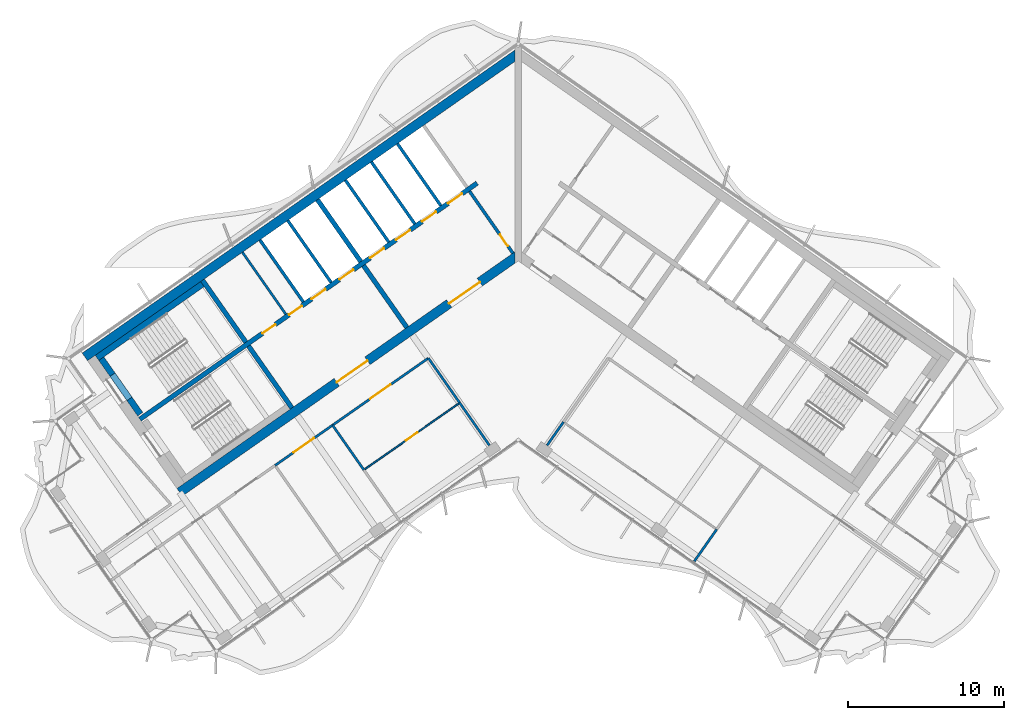
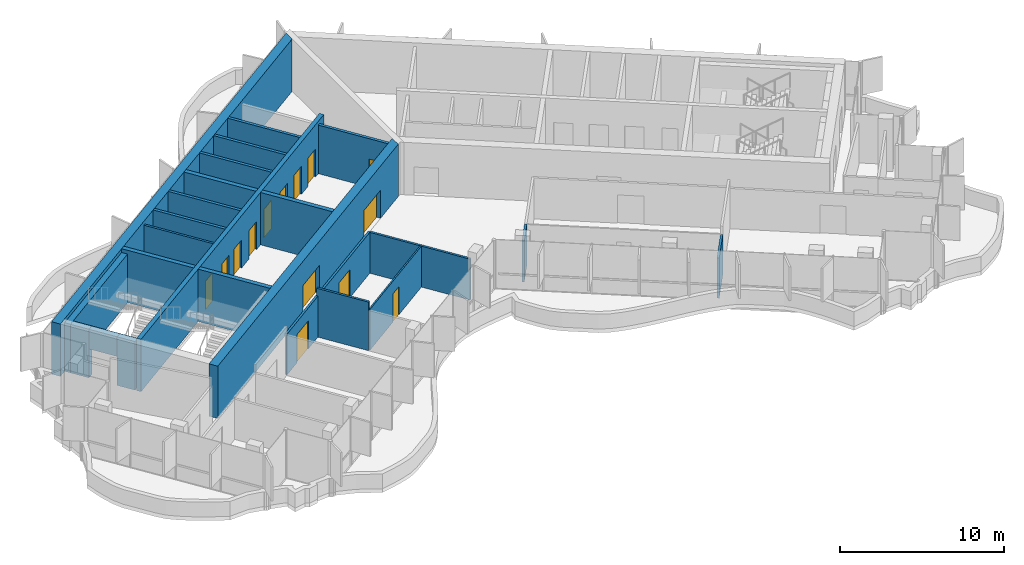
# One storey, part 9 of 18: 26 walls, 14 doors, 14 openings.
"""IFC4 building model written with IfcOpenShell, lengths in metres."""

from ifc_helpers import new_model, si_unit, direction, frame, frame_2d, origin, place, context, subcontext, project, spatial, polyline, rectangle, outline, extrude, material, layer, layer_set, type_object, element, fill, save


model = new_model("IFC4")

# Units and contexts
model_context = context("Model", 3, precision=1e-05, world=origin(), true_north=direction((0.0, 1.0)))
body_context = subcontext(model_context, "Body", "Model", "MODEL_VIEW")
ifc_project = project(units=[si_unit("LENGTHUNIT", "METRE"), si_unit("AREAUNIT", "SQUARE_METRE"), si_unit("VOLUMEUNIT", "CUBIC_METRE"), si_unit("PLANEANGLEUNIT", "RADIAN"), si_unit("MASSUNIT", "GRAM", prefix="KILO")], contexts=[model_context])

# Site, building, storey
site_placement = place(None, origin())
site = spatial("IfcSite", under=ifc_project, at=site_placement, CompositionType="ELEMENT")
building_placement = place(site_placement, origin())
building = spatial("IfcBuilding", under=site, at=building_placement, Name="Tel Ilan Convention Tower", CompositionType="ELEMENT")
storey_placement = place(building_placement, frame((0.0, 0.0, 303.39990234375)))
storey = spatial("IfcBuildingStorey", under=building, at=storey_placement, Name="L72", CompositionType="ELEMENT", Elevation=303.39990234375)

# Wall
ifc_material_1 = material(Name="Gypsum Plasterboard on Steel Stud", Category="steel")
ifc_layer_1 = layer(ifc_material_1, 0.14990234375)
ifc_layer_set_1 = layer_set([ifc_layer_1], Name="Core Room Partition Wall 150 mm EI 60")
wall_type_1 = type_object("IfcWallType", Name="Core Room Partition Wall 150 mm EI 60", PredefinedType="PARTITIONING", material=ifc_layer_set_1)
wall_1_placement = place(storey_placement, frame((-14.909423828125, -4.64111328125, 0.0), z_axis=(0.0, 0.0, 1.0), x_axis=(-0.573560315113, 0.819163332265, 0.0)))
element("IfcWall", 1, at=wall_1_placement, inside=storey, type_object=wall_type_1, Name="L72 core wall bank-W2-split", PredefinedType="PARTITIONING", context=body_context, shape_type="SweptSolid", body=[
    extrude(rectangle(XDim=4.849853515625, YDim=0.14990234375, at=frame_2d((2.4248046875, 0.0))), origin(), (0.0, 0.0, 1.0), 3.6201171875),
])

# Wall, opening, door
ifc_material_2 = material(Name="Concrete C30/37", Category="concrete")
ifc_layer_2 = layer(ifc_material_2, 0.199951171875)
ifc_layer_set_2 = layer_set([ifc_layer_2], Name="Core Service Room Wall 200 mm C30/37")
wall_type_2 = type_object("IfcWallType", Name="Core Service Room Wall 200 mm C30/37", PredefinedType="SOLIDWALL", material=ifc_layer_set_2)
wall_2_placement = place(storey_placement, frame((-0.343994140625, -0.729248046875, 0.0), z_axis=(0.0, 0.0, 1.0), x_axis=(-0.573560315113, 0.819163332265, 0.0)))
wall_2 = element("IfcWall", 2, at=wall_2_placement, inside=storey, type_object=wall_type_2, Name="L72 core wall apex-W", PredefinedType="SOLIDWALL", context=body_context, shape_type="SweptSolid", body=[
    extrude(rectangle(XDim=4.849853515625, YDim=0.199951171875, at=frame_2d((2.4248046875, 0.0))), origin(), (0.0, 0.0, 1.0), 3.6201171875),
])
opening_1_placement = place(wall_2_placement, frame((0.550048828125, 0.0, 0.0)))
opening_1 = element("IfcOpeningElement", 3, at=opening_1_placement, cuts=wall_2, Name="Opening CD5402", PredefinedType="OPENING", context=body_context, shape_type="SweptSolid", body=[
    extrude(rectangle(XDim=0.89990234375, YDim=2.10009765625, at=frame_2d((0.449951171875, 1.050048828125))), frame((0.0, 0.10986328125, 0.0), z_axis=(0.0, -1.0, 0.0), x_axis=(1.0, 0.0, 0.0)), (0.0, 0.0, 1.0), 0.219970703125),
])
ifc_material_3 = material(Name="Galvanised Steel Door Leaf", Category="steel")
door_type_1 = type_object("IfcDoorType", Name="Service Room Door 900 x 2100 FD60", OperationType="NOTDEFINED", PredefinedType="DOOR", material=ifc_material_3)
door_1_placement = place(opening_1_placement, origin())
door_1 = element("IfcDoor", 4, at=door_1_placement, inside=storey, type_object=door_type_1, Name="Telecom Room door", OperationType="SINGLE_SWING_RIGHT", OverallHeight=2.10009765625, OverallWidth=0.89990234375, PredefinedType="DOOR", context=body_context, shape_type="SweptSolid", body=[
    extrude(rectangle(XDim=0.89990234375, YDim=2.10009765625, at=frame_2d((0.449951171875, 1.050048828125))), frame((0.0, 0.02490234375, 0.0), z_axis=(0.0, -1.0, 0.0), x_axis=(1.0, 0.0, 0.0)), (0.0, 0.0, 1.0), 0.050048828125),
])
fill(opening_1, door_1)

# Walls
ifc_material_4 = material(Name="Concrete C40/50", Category="concrete")
ifc_layer_3 = layer(ifc_material_4, 0.300048828125)
ifc_layer_set_3 = layer_set([ifc_layer_3], Name="Core Shear Wall 300 mm C40/50")
wall_type_3 = type_object("IfcWallType", Name="Core Shear Wall 300 mm C40/50", PredefinedType="SHEAR", material=ifc_layer_set_3)
wall_3_placement = place(storey_placement, frame((-7.142822265625, -5.48974609375, 0.0), z_axis=(0.0, 0.0, 1.0), x_axis=(-0.573617744349, 0.819123118565, 0.0)))
element("IfcWall", 5, at=wall_3_placement, inside=storey, type_object=wall_type_3, Name="L72 core wall W-cross1-1", PredefinedType="SHEAR", context=body_context, shape_type="SweptSolid", body=[
    extrude(outline(polyline([(4.85009765625, 0.14990234375), (0.0, 0.150146484375), (0.0, -0.14990234375), (4.85009765625, -0.150146484375), (4.85009765625, 0.14990234375)])), origin(), (0.0, 0.0, 1.0), 3.900146484375),
])
wall_4_placement = place(storey_placement, frame((-10.096923828125, -1.271240234375, 0.0), z_axis=(0.0, 0.0, 1.0), x_axis=(-0.573560315113, 0.819163332265, 0.0)))
element("IfcWall", 6, at=wall_4_placement, inside=storey, type_object=wall_type_3, Name="L72 core wall W-cross1-2", PredefinedType="SHEAR", context=body_context, shape_type="SweptSolid", body=[
    extrude(outline(polyline([(4.849853515625, -0.14990234375), (4.849853515625, 0.150146484375), (0.0, 0.14990234375), (0.0, -0.150146484375), (4.849853515625, -0.14990234375)])), origin(), (0.0, 0.0, 1.0), 3.900146484375),
])
wall_5_placement = place(storey_placement, frame((-14.515380859375, -10.652099609375, 0.0), z_axis=(0.0, 0.0, 1.0), x_axis=(-0.573560315113, 0.819163332265, 0.0)))
element("IfcWall", 7, at=wall_5_placement, inside=storey, type_object=wall_type_3, Name="L72 core wall W-cross2-1", PredefinedType="SHEAR", context=body_context, shape_type="SweptSolid", body=[
    extrude(outline(polyline([(4.85009765625, 0.14990234375), (0.0, 0.14990234375), (0.0, -0.150146484375), (4.85009765625, -0.14990234375), (4.85009765625, 0.14990234375)])), origin(), (0.0, 0.0, 1.0), 3.900146484375),
])
wall_6_placement = place(storey_placement, frame((-17.46923828125, -6.433349609375, 0.0), z_axis=(0.0, 0.0, 1.0), x_axis=(-0.573594092424, 0.81913968109, 0.0)))
element("IfcWall", 8, at=wall_6_placement, inside=storey, type_object=wall_type_3, Name="L72 core wall W-cross2-2", PredefinedType="SHEAR", context=body_context, shape_type="SweptSolid", body=[
    extrude(outline(polyline([(4.849853515625, -0.150146484375), (4.849853515625, 0.14990234375), (0.0, 0.14990234375), (0.0, -0.14990234375), (4.849853515625, -0.150146484375)])), origin(), (0.0, 0.0, 1.0), 3.900146484375),
])

# Wall, openings, doors
wall_7_placement = place(storey_placement, frame((-2.638427734375, 3.76806640625, 0.0), z_axis=(0.0, 0.0, 1.0), x_axis=(-0.819155014212, -0.573572194837, 0.0)))
wall_7 = element("IfcWall", 9, at=wall_7_placement, inside=storey, type_object=wall_type_3, Name="L72 core wall W-spine", PredefinedType="SHEAR", context=body_context, shape_type="SweptSolid", body=[
    extrude(outline(polyline([(26.39990234375, 0.150146484375), (0.0, 0.14990234375), (0.0, -0.150146484375), (26.39990234375, -0.14990234375), (26.39990234375, 0.150146484375)])), origin(), (0.0, 0.0, 1.0), 3.900146484375),
])
opening_2_placement = place(wall_7_placement, frame((1.168701171875, 0.0, 0.0)))
opening_2 = element("IfcOpeningElement", 10, at=opening_2_placement, cuts=wall_7, Name="Opening LD5404", PredefinedType="OPENING", context=body_context, shape_type="SweptSolid", body=[
    extrude(rectangle(XDim=1.10009765625, YDim=2.10009765625, at=frame_2d((0.550048828125, 1.050048828125))), frame((0.0, 0.159912109375, 0.0), z_axis=(0.0, -1.0, 0.0), x_axis=(1.0, 0.0, 0.0)), (0.0, 0.0, 1.0), 0.320068359375),
])
opening_3_placement = place(wall_7_placement, frame((3.206298828125, 0.0, 0.0)))
opening_3 = element("IfcOpeningElement", 11, at=opening_3_placement, cuts=wall_7, Name="Opening LD5405", PredefinedType="OPENING", context=body_context, shape_type="SweptSolid", body=[
    extrude(rectangle(XDim=1.10009765625, YDim=2.10009765625, at=frame_2d((0.550048828125, 1.050048828125))), frame((0.0, 0.159912109375, 0.0), z_axis=(0.0, -1.0, 0.0), x_axis=(1.0, 0.0, 0.0)), (0.0, 0.0, 1.0), 0.320068359375),
])
opening_4_placement = place(wall_7_placement, frame((5.24365234375, 0.0, 0.0)))
opening_4 = element("IfcOpeningElement", 12, at=opening_4_placement, cuts=wall_7, Name="Opening LD5406", PredefinedType="OPENING", context=body_context, shape_type="SweptSolid", body=[
    extrude(rectangle(XDim=1.10009765625, YDim=2.10009765625, at=frame_2d((0.550048828125, 1.050048828125))), frame((0.0, 0.159912109375, 0.0), z_axis=(0.0, -1.0, 0.0), x_axis=(1.0, 0.0, 0.0)), (0.0, 0.0, 1.0), 0.320068359375),
])
opening_5_placement = place(wall_7_placement, frame((7.28125, 0.0, 0.0)))
opening_5 = element("IfcOpeningElement", 13, at=opening_5_placement, cuts=wall_7, Name="Opening LD5407", PredefinedType="OPENING", context=body_context, shape_type="SweptSolid", body=[
    extrude(rectangle(XDim=1.10009765625, YDim=2.10009765625, at=frame_2d((0.550048828125, 1.050048828125))), frame((0.0, 0.159912109375, 0.0), z_axis=(0.0, -1.0, 0.0), x_axis=(1.0, 0.0, 0.0)), (0.0, 0.0, 1.0), 0.320068359375),
])
opening_6_placement = place(wall_7_placement, frame((9.6875, 0.0, 0.0)))
opening_6 = element("IfcOpeningElement", 14, at=opening_6_placement, cuts=wall_7, Name="Opening LD5408", PredefinedType="OPENING", context=body_context, shape_type="SweptSolid", body=[
    extrude(rectangle(XDim=1.10009765625, YDim=2.10009765625, at=frame_2d((0.550048828125, 1.050048828125))), frame((0.0, 0.159912109375, 0.0), z_axis=(0.0, -1.0, 0.0), x_axis=(1.0, 0.0, 0.0)), (0.0, 0.0, 1.0), 0.320068359375),
])
opening_7_placement = place(wall_7_placement, frame((11.862548828125, 0.0, 0.0)))
opening_7 = element("IfcOpeningElement", 15, at=opening_7_placement, cuts=wall_7, Name="Opening LD5409", PredefinedType="OPENING", context=body_context, shape_type="SweptSolid", body=[
    extrude(rectangle(XDim=1.10009765625, YDim=2.10009765625, at=frame_2d((0.550048828125, 1.050048828125))), frame((0.0, 0.159912109375, 0.0), z_axis=(0.0, -1.0, 0.0), x_axis=(1.0, 0.0, 0.0)), (0.0, 0.0, 1.0), 0.320068359375),
])
opening_8_placement = place(wall_7_placement, frame((13.722412109375, 0.0, 0.0)))
opening_8 = element("IfcOpeningElement", 16, at=opening_8_placement, cuts=wall_7, Name="Opening CD5409", PredefinedType="OPENING", context=body_context, shape_type="SweptSolid", body=[
    extrude(rectangle(XDim=1.0, YDim=2.10009765625, at=frame_2d((0.5, 1.050048828125))), frame((0.0, 0.159912109375, 0.0), z_axis=(0.0, -1.0, 0.0), x_axis=(1.0, 0.0, 0.0)), (0.0, 0.0, 1.0), 0.320068359375),
])
opening_9_placement = place(wall_7_placement, frame((15.797607421875, 0.0, 0.0)))
opening_9 = element("IfcOpeningElement", 17, at=opening_9_placement, cuts=wall_7, Name="Opening CD5410", PredefinedType="OPENING", context=body_context, shape_type="SweptSolid", body=[
    extrude(rectangle(XDim=1.0, YDim=2.10009765625, at=frame_2d((0.5, 1.050048828125))), frame((0.0, 0.159912109375, 0.0), z_axis=(0.0, -1.0, 0.0), x_axis=(1.0, 0.0, 0.0)), (0.0, 0.0, 1.0), 0.320068359375),
])
ifc_material_5 = material(Name="Stainless Steel Sliding Door Leaf", Category="steel")
door_type_2 = type_object("IfcDoorType", Name="Lift Landing Door 1100 x 2100 FD120", OperationType="NOTDEFINED", PredefinedType="DOOR", material=ifc_material_5)
door_2_placement = place(opening_2_placement, origin())
door_2 = element("IfcDoor", 18, at=door_2_placement, inside=storey, type_object=door_type_2, Name="Lift HR1 landing door", OperationType="SLIDING_TO_LEFT", OverallHeight=2.10009765625, OverallWidth=1.10009765625, PredefinedType="DOOR", context=body_context, shape_type="SweptSolid", body=[
    extrude(rectangle(XDim=1.10009765625, YDim=2.10009765625, at=frame_2d((0.550048828125, 1.050048828125))), frame((0.0, 0.02490234375, 0.0), z_axis=(0.0, -1.0, 0.0), x_axis=(1.0, 0.0, 0.0)), (0.0, 0.0, 1.0), 0.050048828125),
])
fill(opening_2, door_2)
door_3_placement = place(opening_3_placement, origin())
door_3 = element("IfcDoor", 19, at=door_3_placement, inside=storey, type_object=door_type_2, Name="Lift HR2 landing door", OperationType="SLIDING_TO_RIGHT", OverallHeight=2.10009765625, OverallWidth=1.10009765625, PredefinedType="DOOR", context=body_context, shape_type="SweptSolid", body=[
    extrude(rectangle(XDim=1.10009765625, YDim=2.10009765625, at=frame_2d((0.550048828125, 1.050048828125))), frame((0.0, 0.02490234375, 0.0), z_axis=(0.0, -1.0, 0.0), x_axis=(1.0, 0.0, 0.0)), (0.0, 0.0, 1.0), 0.050048828125),
])
fill(opening_3, door_3)
door_4_placement = place(opening_4_placement, origin())
door_4 = element("IfcDoor", 20, at=door_4_placement, inside=storey, type_object=door_type_2, Name="Lift HR3 landing door", OperationType="SLIDING_TO_LEFT", OverallHeight=2.10009765625, OverallWidth=1.10009765625, PredefinedType="DOOR", context=body_context, shape_type="SweptSolid", body=[
    extrude(rectangle(XDim=1.10009765625, YDim=2.10009765625, at=frame_2d((0.550048828125, 1.050048828125))), frame((0.0, 0.02490234375, 0.0), z_axis=(0.0, -1.0, 0.0), x_axis=(1.0, 0.0, 0.0)), (0.0, 0.0, 1.0), 0.050048828125),
])
fill(opening_4, door_4)
door_5_placement = place(opening_5_placement, origin())
door_5 = element("IfcDoor", 21, at=door_5_placement, inside=storey, type_object=door_type_2, Name="Lift HR4 landing door", OperationType="SLIDING_TO_RIGHT", OverallHeight=2.10009765625, OverallWidth=1.10009765625, PredefinedType="DOOR", context=body_context, shape_type="SweptSolid", body=[
    extrude(rectangle(XDim=1.10009765625, YDim=2.10009765625, at=frame_2d((0.550048828125, 1.050048828125))), frame((0.0, 0.02490234375, 0.0), z_axis=(0.0, -1.0, 0.0), x_axis=(1.0, 0.0, 0.0)), (0.0, 0.0, 1.0), 0.050048828125),
])
fill(opening_5, door_5)
door_6_placement = place(opening_6_placement, origin())
door_6 = element("IfcDoor", 22, at=door_6_placement, inside=storey, type_object=door_type_2, Name="Lift HR5 landing door", OperationType="SLIDING_TO_LEFT", OverallHeight=2.10009765625, OverallWidth=1.10009765625, PredefinedType="DOOR", context=body_context, shape_type="SweptSolid", body=[
    extrude(rectangle(XDim=1.10009765625, YDim=2.10009765625, at=frame_2d((0.550048828125, 1.050048828125))), frame((0.0, 0.02490234375, 0.0), z_axis=(0.0, -1.0, 0.0), x_axis=(1.0, 0.0, 0.0)), (0.0, 0.0, 1.0), 0.050048828125),
])
fill(opening_6, door_6)
door_7_placement = place(opening_7_placement, origin())
door_7 = element("IfcDoor", 23, at=door_7_placement, inside=storey, type_object=door_type_2, Name="Lift HR6 landing door", OperationType="SLIDING_TO_RIGHT", OverallHeight=2.10009765625, OverallWidth=1.10009765625, PredefinedType="DOOR", context=body_context, shape_type="SweptSolid", body=[
    extrude(rectangle(XDim=1.10009765625, YDim=2.10009765625, at=frame_2d((0.550048828125, 1.050048828125))), frame((0.0, 0.02490234375, 0.0), z_axis=(0.0, -1.0, 0.0), x_axis=(1.0, 0.0, 0.0)), (0.0, 0.0, 1.0), 0.050048828125),
])
fill(opening_7, door_7)
ifc_material_6 = material(Name="Galvanised Steel Door Leaf", Category="steel")
door_type_3 = type_object("IfcDoorType", Name="Service Room Door 1000 x 2100 FD60", OperationType="NOTDEFINED", PredefinedType="DOOR", material=ifc_material_6)
door_8_placement = place(opening_8_placement, origin())
door_8 = element("IfcDoor", 24, at=door_8_placement, inside=storey, type_object=door_type_3, Name="Plant Room door", OperationType="SINGLE_SWING_RIGHT", OverallHeight=2.10009765625, OverallWidth=1.0, PredefinedType="DOOR", context=body_context, shape_type="SweptSolid", body=[
    extrude(rectangle(XDim=1.0, YDim=2.10009765625, at=frame_2d((0.5, 1.050048828125))), frame((0.0, 0.02490234375, 0.0), z_axis=(0.0, -1.0, 0.0), x_axis=(1.0, 0.0, 0.0)), (0.0, 0.0, 1.0), 0.050048828125),
])
fill(opening_8, door_8)
door_9_placement = place(opening_9_placement, origin())
door_9 = element("IfcDoor", 25, at=door_9_placement, inside=storey, type_object=door_type_3, Name="Plant Room door", OperationType="SINGLE_SWING_RIGHT", OverallHeight=2.10009765625, OverallWidth=1.0, PredefinedType="DOOR", context=body_context, shape_type="SweptSolid", body=[
    extrude(rectangle(XDim=1.0, YDim=2.10009765625, at=frame_2d((0.5, 1.050048828125))), frame((0.0, 0.02490234375, 0.0), z_axis=(0.0, -1.0, 0.0), x_axis=(1.0, 0.0, 0.0)), (0.0, 0.0, 1.0), 0.050048828125),
])
fill(opening_9, door_9)

# Wall
ifc_material_7 = material(Name="Concrete C40/50", Category="concrete")
ifc_layer_4 = layer(ifc_material_7, 0.60009765625)
ifc_layer_set_4 = layer_set([ifc_layer_4], Name="Core Shear Wall 600 mm C40/50")
wall_type_4 = type_object("IfcWallType", Name="Core Shear Wall 600 mm C40/50", PredefinedType="SHEAR", material=ifc_layer_set_4)
wall_8_placement = place(storey_placement, frame((-0.02783203125, 12.066162109375, 0.0), z_axis=(0.0, 0.0, 1.0), x_axis=(-0.819151382952, -0.573577380837, 0.0)))
element("IfcWall", 26, at=wall_8_placement, inside=storey, type_object=wall_type_4, Name="L72 core wall W-back", PredefinedType="SHEAR", context=body_context, shape_type="SweptSolid", body=[
    extrude(outline(polyline([(33.89794921875, 0.300048828125), (0.420166015625, 0.300048828125), (0.0, -0.300048828125), (33.898193359375, -0.300048828125), (33.89794921875, 0.300048828125)])), origin(), (0.0, 0.0, 1.0), 3.900146484375),
])

# Wall, openings, doors
wall_9_placement = place(storey_placement, frame((-0.02783203125, -0.8740234375, 0.0), z_axis=(0.0, 0.0, 1.0), x_axis=(-0.819150035022, -0.573579305871, 0.0)))
wall_9 = element("IfcWall", 27, at=wall_9_placement, inside=storey, type_object=wall_type_4, Name="L72 core wall W-front", PredefinedType="SHEAR", context=body_context, shape_type="SweptSolid", body=[
    extrude(outline(polyline([(26.475830078125, 0.2998046875), (0.420166015625, 0.300048828125), (0.000244140625, -0.300048828125), (26.475830078125, -0.300048828125), (26.475830078125, 0.2998046875)])), origin(), (0.0, 0.0, 1.0), 3.900146484375),
])
opening_10_placement = place(wall_9_placement, frame((2.975830078125, 0.0, 0.0)))
opening_10 = element("IfcOpeningElement", 28, at=opening_10_placement, cuts=wall_9, Name="Opening CD5406", PredefinedType="OPENING", context=body_context, shape_type="SweptSolid", body=[
    extrude(rectangle(XDim=2.39990234375, YDim=2.10009765625, at=frame_2d((1.199951171875, 1.050048828125))), frame((0.0, 0.31005859375, 0.0), z_axis=(0.0, -1.0, 0.0), x_axis=(1.0, 0.0, 0.0)), (0.0, 0.0, 1.0), 0.6201171875),
])
opening_11_placement = place(wall_9_placement, frame((11.77587890625, 0.0, 0.0)))
opening_11 = element("IfcOpeningElement", 29, at=opening_11_placement, cuts=wall_9, Name="Opening CD5407", PredefinedType="OPENING", context=body_context, shape_type="SweptSolid", body=[
    extrude(rectangle(XDim=2.39990234375, YDim=2.10009765625, at=frame_2d((1.199951171875, 1.050048828125))), frame((0.0, 0.31005859375, 0.0), z_axis=(0.0, -1.0, 0.0), x_axis=(1.0, 0.0, 0.0)), (0.0, 0.0, 1.0), 0.6201171875),
])
ifc_material_8 = material(Name="Glazed Aluminium Door Leaf", Category="aluminium")
door_type_4 = type_object("IfcDoorType", Name="Lobby Opening Door 2400 x 2100 FD60S", OperationType="NOTDEFINED", PredefinedType="DOOR", material=ifc_material_8)
door_10_placement = place(opening_10_placement, origin())
door_10 = element("IfcDoor", 30, at=door_10_placement, inside=storey, type_object=door_type_4, Name="Lift Lobby HR1-HR4 opening", OperationType="DOUBLE_DOOR_SINGLE_SWING", OverallHeight=2.10009765625, OverallWidth=2.39990234375, PredefinedType="DOOR", context=body_context, shape_type="SweptSolid", body=[
    extrude(rectangle(XDim=2.39990234375, YDim=2.10009765625, at=frame_2d((1.199951171875, 1.050048828125))), frame((0.0, 0.02490234375, 0.0), z_axis=(0.0, -1.0, 0.0), x_axis=(1.0, 0.0, 0.0)), (0.0, 0.0, 1.0), 0.050048828125),
])
fill(opening_10, door_10)
door_11_placement = place(opening_11_placement, origin())
door_11 = element("IfcDoor", 31, at=door_11_placement, inside=storey, type_object=door_type_4, Name="Lift Lobby HR5-HR6 opening", OperationType="DOUBLE_DOOR_SINGLE_SWING", OverallHeight=2.10009765625, OverallWidth=2.39990234375, PredefinedType="DOOR", context=body_context, shape_type="SweptSolid", body=[
    extrude(rectangle(XDim=2.39990234375, YDim=2.10009765625, at=frame_2d((1.199951171875, 1.050048828125))), frame((0.0, 0.02490234375, 0.0), z_axis=(0.0, -1.0, 0.0), x_axis=(1.0, 0.0, 0.0)), (0.0, 0.0, 1.0), 0.050048828125),
])
fill(opening_11, door_11)

# Wall, opening, door
ifc_material_9 = material(Name="Plasterboard on Steel Studs", Category="steel")
ifc_layer_5 = layer(ifc_material_9, 0.14990234375)
ifc_layer_set_5 = layer_set([ifc_layer_5], Name="Fire-rated Partition 150 EI 60")
wall_type_5 = type_object("IfcWallType", Name="Fire-rated Partition 150 EI 60", PredefinedType="PARTITIONING", material=ifc_layer_set_5)
wall_10_placement = place(storey_placement, frame((-5.766357421875, -7.455810546875, 0.0), z_axis=(0.0, 0.0, 1.0), x_axis=(-0.819150881364, -0.573578097177, 0.0)))
wall_10 = element("IfcWall", 32, at=wall_10_placement, inside=storey, type_object=wall_type_5, Name="Partition 006", PredefinedType="PARTITIONING", context=body_context, shape_type="SweptSolid", body=[
    extrude(rectangle(XDim=7.501953125, YDim=0.14990234375, at=frame_2d((3.7509765625, 0.0))), origin(), (0.0, 0.0, 1.0), 3.050048828125),
])
opening_12_placement = place(wall_10_placement, frame((2.950927734375, 0.0, 0.0)))
opening_12 = element("IfcOpeningElement", 33, at=opening_12_placement, cuts=wall_10, Name="Opening L71-001", PredefinedType="OPENING", context=body_context, shape_type="SweptSolid", body=[
    extrude(rectangle(XDim=1.60009765625, YDim=2.10009765625, at=frame_2d((0.800048828125, 1.050048828125))), frame((0.0, 0.0849609375, 0.0), z_axis=(0.0, -1.0, 0.0), x_axis=(1.0, 0.0, 0.0)), (0.0, 0.0, 1.0), 0.169921875),
])
ifc_material_10 = material(Name="Timber Door Leaf in Steel Frame", Category="steel")
door_type_5 = type_object("IfcDoorType", Name="Tenant Suite Entrance Fire Door 1600x2100", OperationType="NOTDEFINED", PredefinedType="DOOR", material=ifc_material_10)
door_12_placement = place(opening_12_placement, origin())
door_12 = element("IfcDoor", 34, at=door_12_placement, inside=storey, type_object=door_type_5, Name="Door L71-001", OperationType="DOUBLE_DOOR_SINGLE_SWING", OverallHeight=2.10009765625, OverallWidth=1.60009765625, PredefinedType="DOOR", context=body_context, shape_type="SweptSolid", body=[
    extrude(rectangle(XDim=1.60009765625, YDim=2.10009765625, at=frame_2d((0.800048828125, 1.050048828125))), frame((0.0, 0.02490234375, 0.0), z_axis=(0.0, -1.0, 0.0), x_axis=(1.0, 0.0, 0.0)), (0.0, 0.0, 1.0), 0.050048828125),
])
fill(opening_12, door_12)

wall_11_placement = place(storey_placement, frame((-11.908447265625, -11.756591796875, 0.0), z_axis=(0.0, 0.0, 1.0), x_axis=(-0.819165703328, -0.573556928727, 0.0)))
wall_11 = element("IfcWall", 35, at=wall_11_placement, inside=storey, type_object=wall_type_5, Name="Partition 007", PredefinedType="PARTITIONING", context=body_context, shape_type="SweptSolid", body=[
    extrude(rectangle(XDim=4.50390625, YDim=0.14990234375, at=frame_2d((2.251953125, 0.0))), origin(), (0.0, 0.0, 1.0), 3.050048828125),
])
opening_13_placement = place(wall_11_placement, frame((1.451904296875, 0.0, 0.0)))
opening_13 = element("IfcOpeningElement", 36, at=opening_13_placement, cuts=wall_11, Name="Opening L71-003", PredefinedType="OPENING", context=body_context, shape_type="SweptSolid", body=[
    extrude(rectangle(XDim=1.60009765625, YDim=2.10009765625, at=frame_2d((0.800048828125, 1.050048828125))), frame((0.0, 0.0849609375, 0.0), z_axis=(0.0, -1.0, 0.0), x_axis=(1.0, 0.0, 0.0)), (0.0, 0.0, 1.0), 0.169921875),
])
door_13_placement = place(opening_13_placement, origin())
door_13 = element("IfcDoor", 37, at=door_13_placement, inside=storey, type_object=door_type_5, Name="Door L71-003", OperationType="DOUBLE_DOOR_SINGLE_SWING", OverallHeight=2.10009765625, OverallWidth=1.60009765625, PredefinedType="DOOR", context=body_context, shape_type="SweptSolid", body=[
    extrude(rectangle(XDim=1.60009765625, YDim=2.10009765625, at=frame_2d((0.800048828125, 1.050048828125))), frame((0.0, 0.02490234375, 0.0), z_axis=(0.0, -1.0, 0.0), x_axis=(1.0, 0.0, 0.0)), (0.0, 0.0, 1.0), 0.050048828125),
])
fill(opening_13, door_13)

# Walls
wall_12_placement = place(storey_placement, frame((12.727783203125, -18.435302734375, 0.0), z_axis=(0.0, 0.0, 1.0), x_axis=(-0.573560689761, -0.819163069945, 0.0)))
element("IfcWall", 38, at=wall_12_placement, inside=storey, type_object=wall_type_5, Name="Partition 014", PredefinedType="PARTITIONING", context=body_context, shape_type="SweptSolid", body=[
    extrude(rectangle(XDim=2.4990234375, YDim=0.14990234375, at=frame_2d((1.24951171875, 0.0))), origin(), (0.0, 0.0, 1.0), 3.0),
])
wall_13_placement = place(storey_placement, frame((1.848876953125, -13.050537109375, 0.0), z_axis=(0.0, 0.0, 1.0), x_axis=(0.573623601139, 0.819119017125, 0.0)))
element("IfcWall", 39, at=wall_13_placement, inside=storey, type_object=wall_type_5, Name="Partition 015", PredefinedType="PARTITIONING", context=body_context, shape_type="SweptSolid", body=[
    extrude(rectangle(XDim=1.828857421875, YDim=0.14990234375, at=frame_2d((0.91455078125, 0.0))), origin(), (0.0, 0.0, 1.0), 3.050048828125),
])
wall_14_placement = place(storey_placement, frame((-1.848876953125, -13.050537109375, 0.0), z_axis=(0.0, 0.0, 1.0), x_axis=(-0.573600070244, 0.819135495151, 0.0)))
element("IfcWall", 40, at=wall_14_placement, inside=storey, type_object=wall_type_5, Name="Partition 018", PredefinedType="PARTITIONING", context=body_context, shape_type="SweptSolid", body=[
    extrude(rectangle(XDim=3.3310546875, YDim=0.14990234375, at=frame_2d((1.66552734375, 0.0))), origin(), (0.0, 0.0, 1.0), 3.050048828125),
])
wall_15_placement = place(storey_placement, frame((-3.7578125, -10.324462890625, 0.0), z_axis=(0.0, 0.0, 1.0), x_axis=(-0.573560539213, 0.819163175355, 0.0)))
element("IfcWall", 41, at=wall_15_placement, inside=storey, type_object=wall_type_5, Name="Partition 019", PredefinedType="PARTITIONING", context=body_context, shape_type="SweptSolid", body=[
    extrude(rectangle(XDim=3.50390625, YDim=0.14990234375, at=frame_2d((1.751953125, 0.0))), origin(), (0.0, 0.0, 1.0), 3.050048828125),
])
wall_16_placement = place(storey_placement, frame((-9.902587890625, -14.624755859375, 0.0), z_axis=(0.0, 0.0, 1.0), x_axis=(-0.573518520844, 0.819192594113, 0.0)))
element("IfcWall", 42, at=wall_16_placement, inside=storey, type_object=wall_type_5, Name="Partition 024", PredefinedType="PARTITIONING", context=body_context, shape_type="SweptSolid", body=[
    extrude(rectangle(XDim=3.5, YDim=0.14990234375, at=frame_2d((1.75, 0.0))), origin(), (0.0, 0.0, 1.0), 3.6201171875),
])
ifc_material_11 = material(Name="Concrete C30/37", Category="concrete")
ifc_layer_6 = layer(ifc_material_11, 0.199951171875)
ifc_layer_set_6 = layer_set([ifc_layer_6], Name="Lift Shaft Wall 200 mm C30/37")
wall_type_6 = type_object("IfcWallType", Name="Lift Shaft Wall 200 mm C30/37", PredefinedType="SOLIDWALL", material=ifc_layer_set_6)
wall_17_placement = place(storey_placement, frame((-4.966796875, 2.32080078125, 0.0), z_axis=(0.0, 0.0, 1.0), x_axis=(-0.573594092424, 0.81913968109, 0.0)))
element("IfcWall", 43, at=wall_17_placement, inside=storey, type_object=wall_type_6, Name="L72 core wall bank-W1-p0", PredefinedType="SOLIDWALL", context=body_context, shape_type="SweptSolid", body=[
    extrude(rectangle(XDim=4.85009765625, YDim=0.199951171875, at=frame_2d((2.425048828125, 0.0))), origin(), (0.0, 0.0, 1.0), 3.900146484375),
])
wall_18_placement = place(storey_placement, frame((-6.635986328125, 1.152099609375, 0.0), z_axis=(0.0, 0.0, 1.0), x_axis=(-0.573560315113, 0.819163332265, 0.0)))
element("IfcWall", 44, at=wall_18_placement, inside=storey, type_object=wall_type_6, Name="L72 core wall bank-W1-p1", PredefinedType="SOLIDWALL", context=body_context, shape_type="SweptSolid", body=[
    extrude(rectangle(XDim=4.849853515625, YDim=0.199951171875, at=frame_2d((2.4248046875, 0.0))), origin(), (0.0, 0.0, 1.0), 3.900146484375),
])
wall_19_placement = place(storey_placement, frame((-8.304931640625, -0.0166015625, 0.0), z_axis=(0.0, 0.0, 1.0), x_axis=(-0.573594092424, 0.81913968109, 0.0)))
element("IfcWall", 45, at=wall_19_placement, inside=storey, type_object=wall_type_6, Name="L72 core wall bank-W1-p2", PredefinedType="SOLIDWALL", context=body_context, shape_type="SweptSolid", body=[
    extrude(rectangle(XDim=4.85009765625, YDim=0.199951171875, at=frame_2d((2.425048828125, 0.0))), origin(), (0.0, 0.0, 1.0), 3.900146484375),
])
wall_20_placement = place(storey_placement, frame((-12.00146484375, -2.604736328125, 0.0), z_axis=(0.0, 0.0, 1.0), x_axis=(-0.573560315113, 0.819163332265, 0.0)))
element("IfcWall", 46, at=wall_20_placement, inside=storey, type_object=wall_type_6, Name="L72 core wall bank-W2-p0", PredefinedType="SOLIDWALL", context=body_context, shape_type="SweptSolid", body=[
    extrude(rectangle(XDim=4.849853515625, YDim=0.199951171875, at=frame_2d((2.4248046875, 0.0))), origin(), (0.0, 0.0, 1.0), 3.900146484375),
])
wall_21_placement = place(storey_placement, frame((-13.782958984375, -3.852294921875, 0.0), z_axis=(0.0, 0.0, 1.0), x_axis=(-0.573594092424, 0.81913968109, 0.0)))
element("IfcWall", 47, at=wall_21_placement, inside=storey, type_object=wall_type_6, Name="L72 core wall bank-W2-p1", PredefinedType="SOLIDWALL", context=body_context, shape_type="SweptSolid", body=[
    extrude(rectangle(XDim=4.85009765625, YDim=0.199951171875, at=frame_2d((2.425048828125, 0.0))), origin(), (0.0, 0.0, 1.0), 3.900146484375),
])

# Wall, opening, door
ifc_material_12 = material(Name="Plasterboard on Steel Studs", Category="steel")
ifc_layer_7 = layer(ifc_material_12, 0.10009765625)
ifc_layer_set_7 = layer_set([ifc_layer_7], Name="Plasterboard Partition 100")
wall_type_7 = type_object("IfcWallType", Name="Plasterboard Partition 100", PredefinedType="PARTITIONING", material=ifc_layer_set_7)
wall_22_placement = place(storey_placement, frame((-3.75830078125, -10.32373046875, 0.0), z_axis=(0.0, 0.0, 1.0), x_axis=(-0.81915238829, -0.573575945067, 0.0)))
wall_22 = element("IfcWall", 48, at=wall_22_placement, inside=storey, type_object=wall_type_7, Name="Partition 022", PredefinedType="PARTITIONING", context=body_context, shape_type="SweptSolid", body=[
    extrude(rectangle(XDim=7.5, YDim=0.10009765625, at=frame_2d((3.75, 0.0))), origin(), (0.0, 0.0, 1.0), 3.050048828125),
])
opening_14_placement = place(wall_22_placement, frame((3.300048828125, 0.0, 0.0)))
opening_14 = element("IfcOpeningElement", 49, at=opening_14_placement, cuts=wall_22, Name="Opening L71-002", PredefinedType="OPENING", context=body_context, shape_type="SweptSolid", body=[
    extrude(rectangle(XDim=0.89990234375, YDim=2.10009765625, at=frame_2d((0.449951171875, 1.050048828125))), frame((0.0, 0.06005859375, 0.0), z_axis=(0.0, -1.0, 0.0), x_axis=(1.0, 0.0, 0.0)), (0.0, 0.0, 1.0), 0.1201171875),
])
ifc_material_13 = material(Name="Timber Door Leaf in Steel Frame", Category="steel")
door_type_6 = type_object("IfcDoorType", Name="Room Timber Door 900x2100", OperationType="NOTDEFINED", PredefinedType="DOOR", material=ifc_material_13)
door_14_placement = place(opening_14_placement, origin())
door_14 = element("IfcDoor", 50, at=door_14_placement, inside=storey, type_object=door_type_6, Name="Door L71-002", OperationType="SINGLE_SWING_RIGHT", OverallHeight=2.10009765625, OverallWidth=0.89990234375, PredefinedType="DOOR", context=body_context, shape_type="SweptSolid", body=[
    extrude(rectangle(XDim=0.89990234375, YDim=2.10009765625, at=frame_2d((0.449951171875, 1.050048828125))), frame((0.0, 0.02490234375, 0.0), z_axis=(0.0, -1.0, 0.0), x_axis=(1.0, 0.0, 0.0)), (0.0, 0.0, 1.0), 0.050048828125),
])
fill(opening_14, door_14)

# Walls
ifc_material_14 = material(Name="Concrete C30/37", Category="concrete")
ifc_layer_8 = layer(ifc_material_14, 0.39990234375)
ifc_layer_set_8 = layer_set([ifc_layer_8], Name="Stair and Shaft Lining Wall 400 mm C30/37")
wall_type_8 = type_object("IfcWallType", Name="Stair and Shaft Lining Wall 400 mm C30/37", PredefinedType="SOLIDWALL", material=ifc_layer_set_8)
wall_23_placement = place(storey_placement, frame((-20.25927734375, -2.71044921875, 0.0), z_axis=(0.0, 0.0, 1.0), x_axis=(-0.81914849389, -0.573581506813, 0.0)))
element("IfcWall", 51, at=wall_23_placement, inside=storey, type_object=wall_type_8, Name="L72 core wall lining-S1-t1", PredefinedType="SOLIDWALL", context=body_context, shape_type="SweptSolid", body=[
    extrude(rectangle(XDim=8.249755859375, YDim=0.39990234375, at=frame_2d((4.125, 0.0))), origin(), (0.0, 0.0, 1.0), 3.6201171875),
])
wall_24_placement = place(storey_placement, frame((-24.24365234375, -11.0546875, 0.0), z_axis=(0.0, 0.0, 1.0), x_axis=(-0.573571582932, 0.819155442668, 0.0)))
element("IfcWall", 52, at=wall_24_placement, inside=storey, type_object=wall_type_8, Name="L72 core wall lining-S1-u1-0", PredefinedType="SOLIDWALL", context=body_context, shape_type="SweptSolid", body=[
    extrude(rectangle(XDim=1.199951171875, YDim=0.39990234375, at=frame_2d((0.60009765625, 0.0))), origin(), (0.0, 0.0, 1.0), 3.6201171875),
])
wall_25_placement = place(storey_placement, frame((-26.021728515625, -8.515380859375, 0.0), z_axis=(0.0, 0.0, 1.0), x_axis=(-0.573619628835, 0.819121798889, 0.0)))
element("IfcWall", 53, at=wall_25_placement, inside=storey, type_object=wall_type_8, Name="L72 core wall lining-S1-u1-1", PredefinedType="SOLIDWALL", context=body_context, shape_type="SweptSolid", body=[
    extrude(rectangle(XDim=1.25, YDim=0.39990234375, at=frame_2d((0.625, 0.0))), origin(), (0.0, 0.0, 1.0), 3.6201171875),
])
wall_26_placement = place(storey_placement, frame((-24.931884765625, -10.07177734375, 2.150146484375), z_axis=(0.0, 0.0, 1.0), x_axis=(-0.573591692345, 0.819141361715, 0.0)))
element("IfcWall", 54, at=wall_26_placement, inside=storey, type_object=wall_type_8, Name="L72 core wall lining-S1-u1-lintel", PredefinedType="SOLIDWALL", context=body_context, shape_type="SweptSolid", body=[
    extrude(rectangle(XDim=1.900146484375, YDim=0.39990234375, at=frame_2d((0.9501953125, 0.0))), origin(), (0.0, 0.0, 1.0), 1.469970703125),
])

save(model, "model.ifc")
